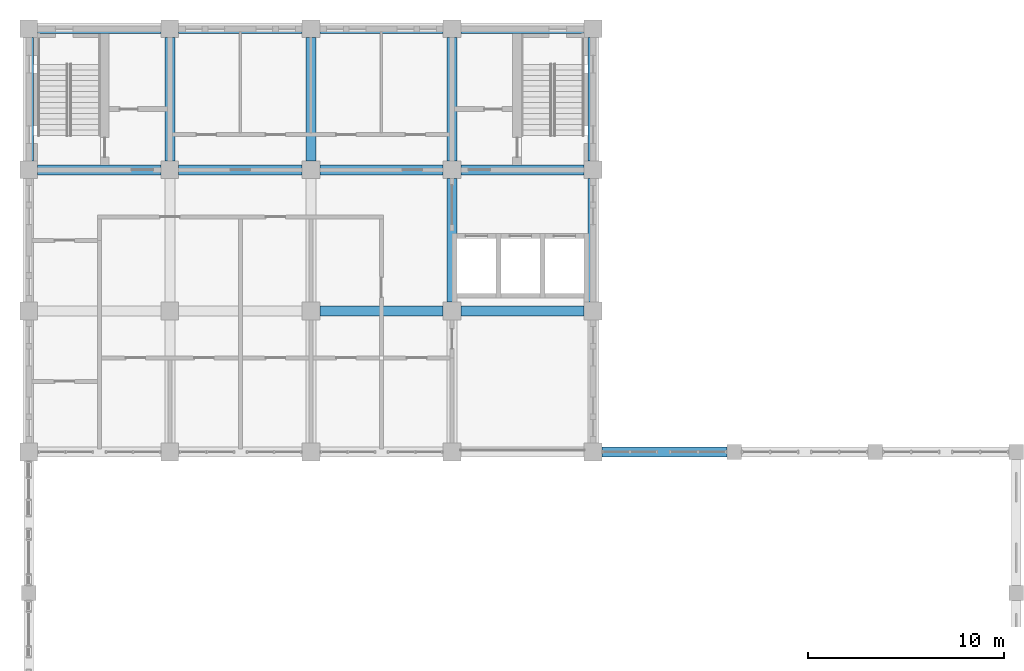
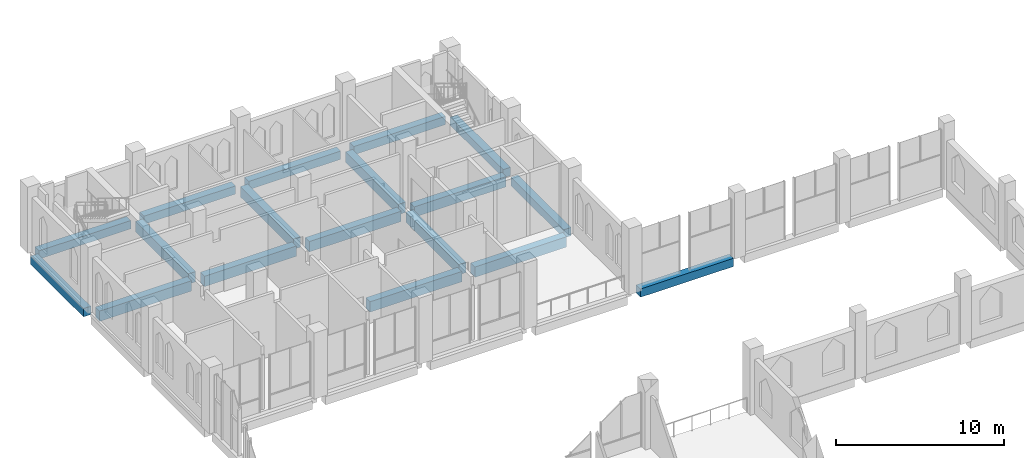
# One storey, part 12 of 30: 18 beams.
"""IFC4 building model written with IfcOpenShell, lengths in metres."""

from ifc_helpers import new_model, si_unit, direction, frame, origin, origin_2d, place, context, subcontext, project, spatial, rectangle, extrude, material, material_profile, profile_set, type_object, element, save


model = new_model("IFC4")

# Units and contexts
model_context = context("Model", 3, precision=1e-05, world=origin(), true_north=direction((0.0, 1.0)))
body_context = subcontext(model_context, "Body", "Model", "MODEL_VIEW")
ifc_project = project(units=[si_unit("LENGTHUNIT", "METRE"), si_unit("AREAUNIT", "SQUARE_METRE"), si_unit("VOLUMEUNIT", "CUBIC_METRE"), si_unit("PLANEANGLEUNIT", "RADIAN"), si_unit("MASSUNIT", "GRAM", prefix="KILO")], contexts=[model_context])

# Site, building, storey
site_placement = place(None, origin())
site = spatial("IfcSite", under=ifc_project, at=site_placement, CompositionType="ELEMENT")
building_placement = place(site_placement, origin())
building = spatial("IfcBuilding", under=site, at=building_placement, Name="Silangan Lancet Faculty of Sciences", CompositionType="ELEMENT")
storey_placement = place(building_placement, frame((0.0, 0.0, 31.199951171875)))
storey = spatial("IfcBuildingStorey", under=building, at=storey_placement, Name="L06", CompositionType="ELEMENT", Elevation=31.199951171875)

# Beams
ifc_material_1 = material(Name="Concrete C40/50", Category="concrete")
ifc_material_profile_1 = material_profile(ifc_material_1, rectangle(XDim=0.5, YDim=0.60009765625, at=origin_2d()), Name="RC 500x600")
ifc_profile_set_1 = profile_set([ifc_material_profile_1], Name="Concrete C40/50")
beam_type_1 = type_object("IfcBeamType", Name="BEAM RC 500x600", PredefinedType="BEAM", material=ifc_profile_set_1)
beam_1_placement = place(storey_placement, frame((29.25, 36.0, -0.300048828125), z_axis=(1.0, 0.0, 0.0), x_axis=(0.0, 1.0, 0.0)))
element("IfcBeam", 1, at=beam_1_placement, inside=storey, type_object=beam_type_1, Name="BM-L06-5F-6F", PredefinedType="BEAM", context=body_context, shape_type="SweptSolid", body=[
    extrude(rectangle(XDim=0.5, YDim=0.60009765625, at=origin_2d()), origin(), (0.0, 0.0, 1.0), 6.375),
])
for number, where, z_axis, x_axis, name in (
    (2, (0.449951171875, 57.60009765625, -0.550048828125), (1.0, 0.0, 0.0), (0.0, 1.0, 0.0), "BM-L06-1I-2I"),
    (3, (7.64990234375, 57.60009765625, -0.550048828125), (1.0, 0.0, 0.0), (0.0, 1.0, 0.0), "BM-L06-2I-3I"),
):
    element("IfcBeam", number, at=place(storey_placement, frame(where, z_axis=z_axis, x_axis=x_axis)), inside=storey, type_object=beam_type_1, Name=name, PredefinedType="BEAM", context=body_context, shape_type="SweptSolid", body=[
        extrude(rectangle(XDim=0.5, YDim=0.60009765625, at=origin_2d()), origin(), (0.0, 0.0, 1.0), 6.300048828125),
    ])
beam_2_placement = place(storey_placement, frame((14.85009765625, 57.60009765625, -0.550048828125), z_axis=(1.0, 0.0, 0.0), x_axis=(0.0, 1.0, 0.0)))
element("IfcBeam", 4, at=beam_2_placement, inside=storey, type_object=beam_type_1, Name="BM-L06-3I-4I", PredefinedType="BEAM", context=body_context, shape_type="SweptSolid", body=[
    extrude(rectangle(XDim=0.5, YDim=0.60009765625, at=origin_2d()), origin(), (0.0, 0.0, 1.0), 6.2998046875),
])
beam_3_placement = place(storey_placement, frame((22.050048828125, 57.60009765625, -0.550048828125), z_axis=(1.0, 0.0, 0.0), x_axis=(0.0, 1.0, 0.0)))
element("IfcBeam", 5, at=beam_3_placement, inside=storey, type_object=beam_type_1, Name="BM-L06-4I-5I", PredefinedType="BEAM", context=body_context, shape_type="SweptSolid", body=[
    extrude(rectangle(XDim=0.5, YDim=0.60009765625, at=origin_2d()), origin(), (0.0, 0.0, 1.0), 6.300048828125),
])
beam_4_placement = place(storey_placement, frame((0.0, 50.85009765625, -0.550048828125), z_axis=(0.0, 1.0, 0.0), x_axis=(-1.0, 0.0, 0.0)))
element("IfcBeam", 6, at=beam_4_placement, inside=storey, type_object=beam_type_1, Name="BM-L06-1H-1I", PredefinedType="BEAM", context=body_context, shape_type="SweptSolid", body=[
    extrude(rectangle(XDim=0.5, YDim=0.60009765625, at=origin_2d()), origin(), (0.0, 0.0, 1.0), 6.2998046875),
])
beam_5_placement = place(storey_placement, frame((28.800048828125, 43.64990234375, -0.550048828125), z_axis=(0.0, 1.0, 0.0), x_axis=(-1.0, 0.0, 0.0)))
element("IfcBeam", 7, at=beam_5_placement, inside=storey, type_object=beam_type_1, Name="BM-L06-5G-5H", PredefinedType="BEAM", context=body_context, shape_type="SweptSolid", body=[
    extrude(rectangle(XDim=0.5, YDim=0.60009765625, at=origin_2d()), origin(), (0.0, 0.0, 1.0), 6.300048828125),
])
beam_6_placement = place(storey_placement, frame((28.800048828125, 50.85009765625, -0.550048828125), z_axis=(0.0, 1.0, 0.0), x_axis=(-1.0, 0.0, 0.0)))
element("IfcBeam", 8, at=beam_6_placement, inside=storey, type_object=beam_type_1, Name="BM-L06-5H-5I", PredefinedType="BEAM", context=body_context, shape_type="SweptSolid", body=[
    extrude(rectangle(XDim=0.5, YDim=0.60009765625, at=origin_2d()), origin(), (0.0, 0.0, 1.0), 6.2998046875),
])
ifc_material_2 = material(Name="Concrete C40/50", Category="concrete")
ifc_material_profile_2 = material_profile(ifc_material_2, rectangle(XDim=0.5, YDim=0.75, at=origin_2d()), Name="RC 500x750")
ifc_profile_set_2 = profile_set([ifc_material_profile_2], Name="Concrete C40/50")
beam_type_2 = type_object("IfcBeamType", Name="BEAM RC 500x750", PredefinedType="BEAM", material=ifc_profile_set_2)
beam_7_placement = place(storey_placement, frame((14.85009765625, 43.199951171875, -0.625), z_axis=(1.0, 0.0, 0.0), x_axis=(0.0, 1.0, 0.0)))
element("IfcBeam", 9, at=beam_7_placement, inside=storey, type_object=beam_type_2, Name="BM-L06-3G-4G", PredefinedType="BEAM", context=body_context, shape_type="SweptSolid", body=[
    extrude(rectangle(XDim=0.5, YDim=0.75, at=origin_2d()), origin(), (0.0, 0.0, 1.0), 6.2998046875),
])
for number, where, z_axis, x_axis, name in (
    (10, (22.050048828125, 43.199951171875, -0.625), (1.0, 0.0, 0.0), (0.0, 1.0, 0.0), "BM-L06-4G-5G"),
    (11, (0.449951171875, 50.39990234375, -0.625), (1.0, 0.0, 0.0), (0.0, 1.0, 0.0), "BM-L06-1H-2H"),
    (12, (7.64990234375, 50.39990234375, -0.625), (1.0, 0.0, 0.0), (0.0, 1.0, 0.0), "BM-L06-2H-3H"),
):
    element("IfcBeam", number, at=place(storey_placement, frame(where, z_axis=z_axis, x_axis=x_axis)), inside=storey, type_object=beam_type_2, Name=name, PredefinedType="BEAM", context=body_context, shape_type="SweptSolid", body=[
        extrude(rectangle(XDim=0.5, YDim=0.75, at=origin_2d()), origin(), (0.0, 0.0, 1.0), 6.300048828125),
    ])
beam_8_placement = place(storey_placement, frame((14.85009765625, 50.39990234375, -0.625), z_axis=(1.0, 0.0, 0.0), x_axis=(0.0, 1.0, 0.0)))
element("IfcBeam", 13, at=beam_8_placement, inside=storey, type_object=beam_type_2, Name="BM-L06-3H-4H", PredefinedType="BEAM", context=body_context, shape_type="SweptSolid", body=[
    extrude(rectangle(XDim=0.5, YDim=0.75, at=origin_2d()), origin(), (0.0, 0.0, 1.0), 6.2998046875),
])
beam_9_placement = place(storey_placement, frame((22.050048828125, 50.39990234375, -0.625), z_axis=(1.0, 0.0, 0.0), x_axis=(0.0, 1.0, 0.0)))
element("IfcBeam", 14, at=beam_9_placement, inside=storey, type_object=beam_type_2, Name="BM-L06-4H-5H", PredefinedType="BEAM", context=body_context, shape_type="SweptSolid", body=[
    extrude(rectangle(XDim=0.5, YDim=0.75, at=origin_2d()), origin(), (0.0, 0.0, 1.0), 6.300048828125),
])
for number, where, z_axis, x_axis, name in (
    (15, (7.199951171875, 50.85009765625, -0.625), (0.0, 1.0, 0.0), (-1.0, 0.0, 0.0), "BM-L06-2H-2I"),
    (16, (14.39990234375, 50.85009765625, -0.625), (0.0, 1.0, 0.0), (-1.0, 0.0, 0.0), "BM-L06-3H-3I"),
):
    element("IfcBeam", number, at=place(storey_placement, frame(where, z_axis=z_axis, x_axis=x_axis)), inside=storey, type_object=beam_type_2, Name=name, PredefinedType="BEAM", context=body_context, shape_type="SweptSolid", body=[
        extrude(rectangle(XDim=0.5, YDim=0.75, at=origin_2d()), origin(), (0.0, 0.0, 1.0), 6.2998046875),
    ])
beam_10_placement = place(storey_placement, frame((21.60009765625, 43.64990234375, -0.625), z_axis=(0.0, 1.0, 0.0), x_axis=(-1.0, 0.0, 0.0)))
element("IfcBeam", 17, at=beam_10_placement, inside=storey, type_object=beam_type_2, Name="BM-L06-4G-4H", PredefinedType="BEAM", context=body_context, shape_type="SweptSolid", body=[
    extrude(rectangle(XDim=0.5, YDim=0.75, at=origin_2d()), origin(), (0.0, 0.0, 1.0), 6.300048828125),
])
beam_11_placement = place(storey_placement, frame((21.60009765625, 50.85009765625, -0.625), z_axis=(0.0, 1.0, 0.0), x_axis=(-1.0, 0.0, 0.0)))
element("IfcBeam", 18, at=beam_11_placement, inside=storey, type_object=beam_type_2, Name="BM-L06-4H-4I", PredefinedType="BEAM", context=body_context, shape_type="SweptSolid", body=[
    extrude(rectangle(XDim=0.5, YDim=0.75, at=origin_2d()), origin(), (0.0, 0.0, 1.0), 6.2998046875),
])

save(model, "model.ifc")
